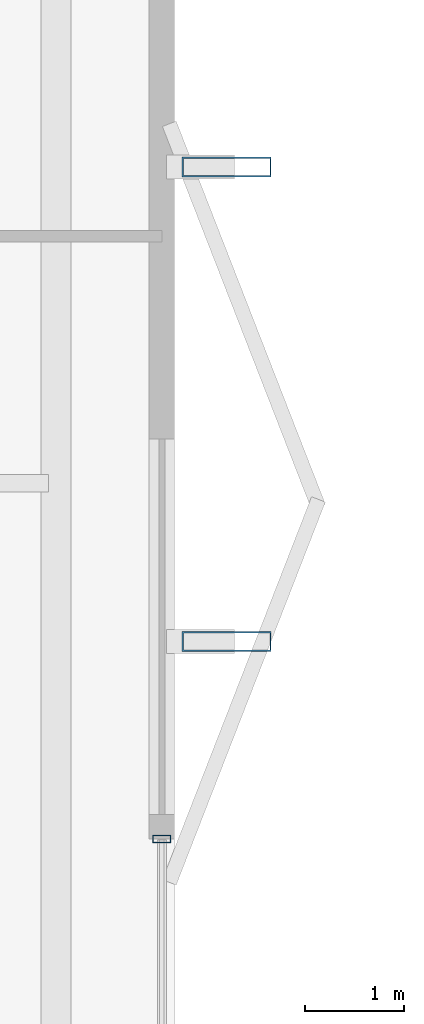
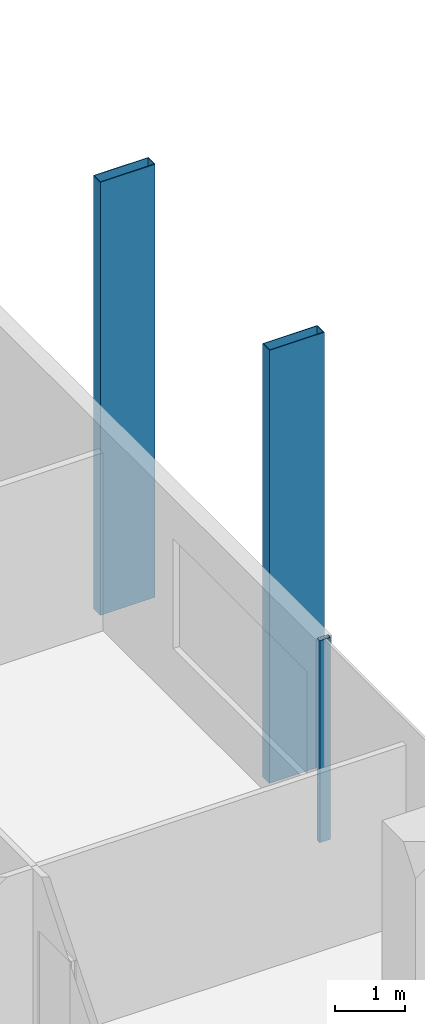
# One storey, part 15 of 25: 3 members, 1 element without a shape of its own.
"""IFC4 building model written with IfcOpenShell, lengths in metres."""

from ifc_helpers import new_model, si_unit, direction, frame, origin, origin_2d, place, context, subcontext, project, spatial, hollow_rectangle, extrude, material, layer, layer_set, material_profile, profile_set, type_object, element, aggregate, save


model = new_model("IFC4")

# Units and contexts
model_context = context("Model", 3, precision=1e-05, world=origin(), true_north=direction((0.0, 1.0)))
body_context = subcontext(model_context, "Body", "Model", "MODEL_VIEW")
ifc_project = project(units=[si_unit("LENGTHUNIT", "METRE"), si_unit("AREAUNIT", "SQUARE_METRE"), si_unit("VOLUMEUNIT", "CUBIC_METRE"), si_unit("PLANEANGLEUNIT", "RADIAN"), si_unit("MASSUNIT", "GRAM", prefix="KILO")], contexts=[model_context])

# Site, building, storey
site_placement = place(None, origin())
site = spatial("IfcSite", under=ifc_project, at=site_placement, CompositionType="ELEMENT")
building_placement = place(site_placement, origin())
building = spatial("IfcBuilding", under=site, at=building_placement, Name="Belovzor Exchange Tower", CompositionType="ELEMENT")
storey_placement = place(building_placement, frame((0.0, 0.0, 265.35009765625)))
storey = spatial("IfcBuildingStorey", under=building, at=storey_placement, Name="L66", CompositionType="ELEMENT", Elevation=265.35009765625)

# Members
ifc_material_1 = material(Name="Extruded Architectural Terracotta on Steel S355 Carrier", Category="masonry")
ifc_material_profile_1 = material_profile(ifc_material_1, hollow_rectangle(XDim=0.199951171875, YDim=0.89990234375, WallThickness=0.011962890625, at=origin_2d()))
ifc_profile_set_1 = profile_set([ifc_material_profile_1], Name="Extruded Architectural Terracotta on Steel S355 Carrier")
member_type_1 = type_object("IfcMemberType", Name="Sweeping Terracotta Baguette Fin Assembly 950", PredefinedType="USERDEFINED", material=ifc_profile_set_1)
for number, where, z_axis, x_axis, name in (
    (1, (54.22509765625, 35.60009765625, -0.25), (0.0, 0.0, 1.0), (0.0, 1.0, 0.0), "FIN-TC095 Terracotta Facade Fin L66 E3"),
    (2, (54.22509765625, 40.39990234375, -0.25), (0.0, 0.0, 1.0), (0.0, 1.0, 0.0), "FIN-TC095 Terracotta Facade Fin L66 E4"),
):
    element("IfcMember", number, at=place(storey_placement, frame(where, z_axis=z_axis, x_axis=x_axis)), inside=storey, type_object=member_type_1, Name=name, ObjectType="FIN", PredefinedType="USERDEFINED", context=body_context, shape_type="SweptSolid", body=[
        extrude(hollow_rectangle(XDim=0.199951171875, YDim=0.89990234375, WallThickness=0.011962890625, at=origin_2d()), origin(), (0.0, 0.0, 1.0), 7.5),
    ])

# Curtain wall, member
ifc_material_2 = material(Name="Anodised Aluminium Framing", Category="aluminium")
ifc_layer = layer(ifc_material_2, 0.179931640625)
ifc_layer_set = layer_set([ifc_layer], Name="Anodised Aluminium Framing")
curtain_wall_type = type_object("IfcCurtainWallType", Name="Recessed Loggia Low-Iron Triple-Glazed Curtain Wall", PredefinedType="NOTDEFINED", material=ifc_layer_set)
curtain_wall_placement = place(storey_placement, origin())
curtain_wall = element("IfcCurtainWall", 3, at=curtain_wall_placement, inside=storey, type_object=curtain_wall_type, Name="CW3 Recessed Loggia Low-Iron Triple-Glazed Curtain Wall L66", PredefinedType="NOTDEFINED")
ifc_material_3 = material(Name="Steel S355", Category="steel")
ifc_material_profile_2 = material_profile(ifc_material_3, hollow_rectangle(XDim=0.074951171875, YDim=0.179931640625, WallThickness=0.0048828125, at=origin_2d()))
ifc_profile_set_2 = profile_set([ifc_material_profile_2], Name="Steel S355")
member_type_2 = type_object("IfcMemberType", Name="Thermally Broken Curtain Wall Mullion 180x75", PredefinedType="MULLION", material=ifc_profile_set_2)
member_placement = place(storey_placement, frame((53.570068359375, 33.60009765625, 0.0), z_axis=(0.0, 0.0, 1.0), x_axis=(0.0, -1.0, 0.0)))
member = element("IfcMember", 4, at=member_placement, type_object=member_type_2, Name="CW-M180 Curtain Wall Mullion 1", PredefinedType="MULLION", context=body_context, shape_type="SweptSolid", body=[
    extrude(hollow_rectangle(XDim=0.074951171875, YDim=0.179931640625, WallThickness=0.0048828125, at=origin_2d()), origin(), (0.0, 0.0, 1.0), 3.5),
])
aggregate(curtain_wall, [member])

save(model, "model.ifc")
